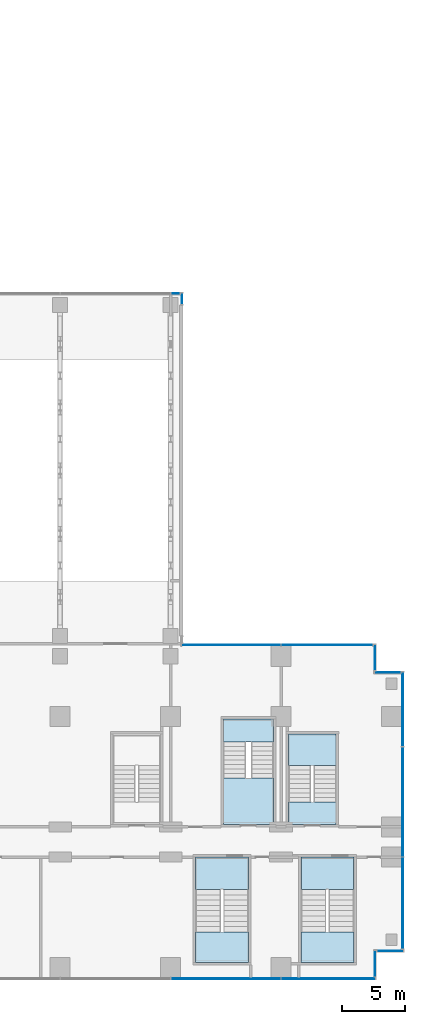
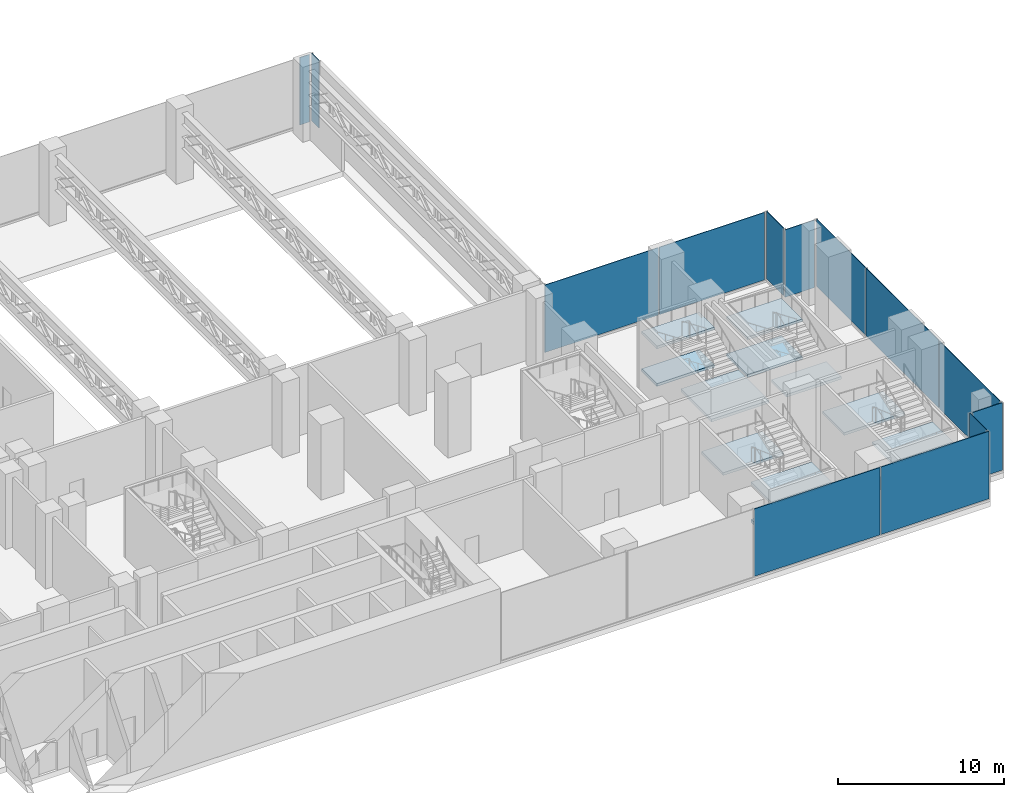
# One storey, part 16 of 30: 13 plates, 12 slabs, 13 elements without a shape of their own.
"""IFC4 building model written with IfcOpenShell, lengths in metres."""

from ifc_helpers import new_model, si_unit, direction, frame, origin, origin_2d, place, context, subcontext, project, spatial, polyline, rectangle, outline, extrude, source, transform, mapped, material, layer, layer_set, type_object, element, aggregate, save


model = new_model("IFC4")

# Units and contexts
model_context = context("Model", 3, precision=1e-05, world=origin(), true_north=direction((0.0, 1.0)))
body_context = subcontext(model_context, "Body", "Model", "MODEL_VIEW")
ifc_project = project(units=[si_unit("LENGTHUNIT", "METRE"), si_unit("AREAUNIT", "SQUARE_METRE"), si_unit("VOLUMEUNIT", "CUBIC_METRE"), si_unit("PLANEANGLEUNIT", "RADIAN"), si_unit("MASSUNIT", "GRAM", prefix="KILO")], contexts=[model_context])

# Site, building, storey
site_placement = place(None, origin())
site = spatial("IfcSite", under=ifc_project, at=site_placement, CompositionType="ELEMENT")
building_placement = place(site_placement, origin())
building = spatial("IfcBuilding", under=site, at=building_placement, Name="Kemantara Hotel Tower", CompositionType="ELEMENT")
storey_placement = place(building_placement, frame((0.0, 0.0, 23.5)))
storey = spatial("IfcBuildingStorey", under=building, at=storey_placement, Name="L04", CompositionType="ELEMENT", Elevation=23.5)

# Stair, slabs
ifc_material_1 = material(Name="Concrete fc 40 MPa", Category="concrete")
stair_type_1 = type_object("IfcStairType", Name="Stair 1800 wide 36 risers of 153 x 360 mm", PredefinedType="HALF_TURN_STAIR", material=ifc_material_1)
stair_1_placement = place(storey_placement, origin())
stair_1 = element("IfcStair", 1, at=stair_1_placement, inside=storey, type_object=stair_type_1, Name="L04 Exit stair ST5", PredefinedType="HALF_TURN_STAIR")
ifc_layer_1 = layer(ifc_material_1, 0.199951171875)
ifc_layer_set_1 = layer_set([ifc_layer_1], Name="Concrete fc 40 MPa")
slab_type = type_object("IfcSlabType", Name="Stair landing 200 mm", PredefinedType="LANDING", material=ifc_layer_set_1)
slab_1_placement = place(storey_placement, frame((0.0, 0.0, 1.175048828125)))
slab_1 = element("IfcSlab", 2, at=slab_1_placement, type_object=slab_type, Name="ST5 landing 1", PredefinedType="LANDING", context=body_context, shape_type="SweptSolid", body=[
    extrude(outline(polyline([(75.800048828125, 17.080078125), (75.800048828125, 19.60009765625), (72.0, 19.60009765625), (72.0, 17.080078125), (75.800048828125, 17.080078125)])), origin(), (0.0, 0.0, 1.0), 0.199951171875),
])
slab_2_placement = place(storey_placement, frame((0.0, 0.0, 2.550048828125)))
slab_2 = element("IfcSlab", 3, at=slab_2_placement, type_object=slab_type, Name="ST5 landing 2", PredefinedType="LANDING", context=body_context, shape_type="SweptSolid", body=[
    extrude(outline(polyline([(75.800048828125, 12.39990234375), (75.800048828125, 14.199951171875), (72.0, 14.199951171875), (72.0, 12.39990234375), (75.800048828125, 12.39990234375)])), origin(), (0.0, 0.0, 1.0), 0.199951171875),
])
slab_3_placement = place(storey_placement, frame((0.0, 0.0, 3.925048828125)))
slab_3 = element("IfcSlab", 4, at=slab_3_placement, type_object=slab_type, Name="ST5 landing 3", PredefinedType="LANDING", context=body_context, shape_type="SweptSolid", body=[
    extrude(outline(polyline([(75.800048828125, 17.080078125), (75.800048828125, 19.60009765625), (72.0, 19.60009765625), (72.0, 17.080078125), (75.800048828125, 17.080078125)])), origin(), (0.0, 0.0, 1.0), 0.199951171875),
])
aggregate(stair_1, [slab_1, slab_2, slab_3])

stair_2_placement = place(storey_placement, origin())
stair_2 = element("IfcStair", 5, at=stair_2_placement, inside=storey, type_object=stair_type_1, Name="L04 Stair PS1", PredefinedType="HALF_TURN_STAIR")
slab_4_placement = place(storey_placement, frame((0.0, 0.0, 1.175048828125)))
slab_4 = element("IfcSlab", 6, at=slab_4_placement, type_object=slab_type, Name="PS1 landing 1", PredefinedType="LANDING", context=body_context, shape_type="SweptSolid", body=[
    extrude(outline(polyline([(70.800048828125, 18.97998046875), (70.800048828125, 20.800048828125), (66.800048828125, 20.800048828125), (66.800048828125, 18.97998046875), (70.800048828125, 18.97998046875)])), origin(), (0.0, 0.0, 1.0), 0.199951171875),
])
slab_5_placement = place(storey_placement, frame((0.0, 0.0, 2.550048828125)))
slab_5 = element("IfcSlab", 7, at=slab_5_placement, type_object=slab_type, Name="PS1 landing 2", PredefinedType="LANDING", context=body_context, shape_type="SweptSolid", body=[
    extrude(outline(polyline([(70.800048828125, 12.39990234375), (70.800048828125, 16.10009765625), (66.800048828125, 16.10009765625), (66.800048828125, 12.39990234375), (70.800048828125, 12.39990234375)])), origin(), (0.0, 0.0, 1.0), 0.199951171875),
])
slab_6_placement = place(storey_placement, frame((0.0, 0.0, 3.925048828125)))
slab_6 = element("IfcSlab", 8, at=slab_6_placement, type_object=slab_type, Name="PS1 landing 3", PredefinedType="LANDING", context=body_context, shape_type="SweptSolid", body=[
    extrude(outline(polyline([(70.800048828125, 18.97998046875), (70.800048828125, 20.800048828125), (66.800048828125, 20.800048828125), (66.800048828125, 18.97998046875), (70.800048828125, 18.97998046875)])), origin(), (0.0, 0.0, 1.0), 0.199951171875),
])
aggregate(stair_2, [slab_4, slab_5, slab_6])

stair_type_2 = type_object("IfcStairType", Name="Stair 2000 wide 36 risers of 153 x 420 mm", PredefinedType="HALF_TURN_STAIR", material=ifc_material_1)
stair_3_placement = place(storey_placement, origin())
stair_3 = element("IfcStair", 9, at=stair_3_placement, inside=storey, type_object=stair_type_2, Name="L04 Stair PS4", PredefinedType="HALF_TURN_STAIR")
slab_7_placement = place(storey_placement, frame((0.0, 0.0, 1.175048828125)))
slab_7 = element("IfcSlab", 10, at=slab_7_placement, type_object=slab_type, Name="PS4 landing 1", PredefinedType="LANDING", context=body_context, shape_type="SweptSolid", body=[
    extrude(outline(polyline([(64.60009765625, 3.840087890625), (64.60009765625, 1.39990234375), (68.800048828125, 1.39990234375), (68.800048828125, 3.840087890625), (64.60009765625, 3.840087890625)])), origin(), (0.0, 0.0, 1.0), 0.199951171875),
])
slab_8_placement = place(storey_placement, frame((0.0, 0.0, 2.550048828125)))
slab_8 = element("IfcSlab", 11, at=slab_8_placement, type_object=slab_type, Name="PS4 landing 2", PredefinedType="LANDING", context=body_context, shape_type="SweptSolid", body=[
    extrude(outline(polyline([(64.60009765625, 9.800048828125), (64.60009765625, 7.199951171875), (68.800048828125, 7.199951171875), (68.800048828125, 9.800048828125), (64.60009765625, 9.800048828125)])), origin(), (0.0, 0.0, 1.0), 0.199951171875),
])
slab_9_placement = place(storey_placement, frame((0.0, 0.0, 3.925048828125)))
slab_9 = element("IfcSlab", 12, at=slab_9_placement, type_object=slab_type, Name="PS4 landing 3", PredefinedType="LANDING", context=body_context, shape_type="SweptSolid", body=[
    extrude(outline(polyline([(64.60009765625, 3.840087890625), (64.60009765625, 1.39990234375), (68.800048828125, 1.39990234375), (68.800048828125, 3.840087890625), (64.60009765625, 3.840087890625)])), origin(), (0.0, 0.0, 1.0), 0.199951171875),
])
aggregate(stair_3, [slab_7, slab_8, slab_9])

stair_4_placement = place(storey_placement, origin())
stair_4 = element("IfcStair", 13, at=stair_4_placement, inside=storey, type_object=stair_type_2, Name="L04 Stair PS5", PredefinedType="HALF_TURN_STAIR")
slab_10_placement = place(storey_placement, frame((0.0, 0.0, 1.175048828125)))
slab_10 = element("IfcSlab", 14, at=slab_10_placement, type_object=slab_type, Name="PS5 landing 1", PredefinedType="LANDING", context=body_context, shape_type="SweptSolid", body=[
    extrude(outline(polyline([(73.0, 3.840087890625), (73.0, 1.39990234375), (77.199951171875, 1.39990234375), (77.199951171875, 3.840087890625), (73.0, 3.840087890625)])), origin(), (0.0, 0.0, 1.0), 0.199951171875),
])
slab_11_placement = place(storey_placement, frame((0.0, 0.0, 2.550048828125)))
slab_11 = element("IfcSlab", 15, at=slab_11_placement, type_object=slab_type, Name="PS5 landing 2", PredefinedType="LANDING", context=body_context, shape_type="SweptSolid", body=[
    extrude(outline(polyline([(73.0, 9.800048828125), (73.0, 7.199951171875), (77.199951171875, 7.199951171875), (77.199951171875, 9.800048828125), (73.0, 9.800048828125)])), origin(), (0.0, 0.0, 1.0), 0.199951171875),
])
slab_12_placement = place(storey_placement, frame((0.0, 0.0, 3.925048828125)))
slab_12 = element("IfcSlab", 16, at=slab_12_placement, type_object=slab_type, Name="PS5 landing 3", PredefinedType="LANDING", context=body_context, shape_type="SweptSolid", body=[
    extrude(outline(polyline([(73.0, 3.840087890625), (73.0, 1.39990234375), (77.199951171875, 1.39990234375), (77.199951171875, 3.840087890625), (73.0, 3.840087890625)])), origin(), (0.0, 0.0, 1.0), 0.199951171875),
])
aggregate(stair_4, [slab_10, slab_11, slab_12])

# Curtain wall, plate
ifc_material_2 = material(Name="Laminated tinted insulated glass 44 mm", Category="glass")
curtain_wall_type = type_object("IfcCurtainWallType", Name="PODIUM GLASS CURTAIN WALL", PredefinedType="USERDEFINED", material=ifc_material_2)
curtain_wall_1_placement = place(storey_placement, origin())
curtain_wall_1 = element("IfcCurtainWall", 17, at=curtain_wall_1_placement, inside=storey, type_object=curtain_wall_type, Name="CW1 L04 POD-R01-2", ObjectType="PODIUM GLASS CURTAIN WALL", PredefinedType="USERDEFINED")
ifc_layer_2 = layer(ifc_material_2, 0.0439453125)
ifc_layer_set_2 = layer_set([ifc_layer_2], Name="Laminated tinted insulated glass 44 mm")
plate_type = type_object("IfcPlateType", Name="PODIUM GLASS CURTAIN WALL PANEL", PredefinedType="CURTAIN_PANEL", material=ifc_layer_set_2)
shared_shape_1 = source(origin(), body_context, "Body", "SweptSolid", [
    extrude(rectangle(XDim=8.72509765625, YDim=0.0439453125, at=origin_2d()), origin(), (0.0, 0.0, 1.0), 4.949951171875),
])
plate_1_placement = place(storey_placement, frame((67.0, 0.10009765625, 0.14990234375), z_axis=(0.0, 0.0, 1.0), x_axis=(1.0, 0.0, 0.0)))
plate_1 = element("IfcPlate", 18, at=plate_1_placement, type_object=plate_type, Name="CW1 glass panel POD-R01-2.3", PredefinedType="CURTAIN_PANEL", context=body_context, shape_type="MappedRepresentation", body=[
    mapped(shared_shape_1, transform((0.0, 0.0, 0.0))),
])

curtain_wall_2_placement = place(storey_placement, origin())
curtain_wall_2 = element("IfcCurtainWall", 19, at=curtain_wall_2_placement, inside=storey, type_object=curtain_wall_type, Name="CW1 L04 POD-R04-1", ObjectType="PODIUM GLASS CURTAIN WALL", PredefinedType="USERDEFINED")
plate_2_placement = place(storey_placement, frame((81.10009765625, 14.199951171875, 0.14990234375), z_axis=(0.0, 0.0, 1.0), x_axis=(0.0, 1.0, 0.0)))
plate_2 = element("IfcPlate", 20, at=plate_2_placement, type_object=plate_type, Name="CW1 glass panel POD-R04-1.2", PredefinedType="CURTAIN_PANEL", context=body_context, shape_type="MappedRepresentation", body=[
    mapped(shared_shape_1, transform((0.0, 0.0, 0.0))),
])

# Plate
shared_shape_2 = source(origin(), body_context, "Body", "SweptSolid", [
    extrude(rectangle(XDim=7.487548828125, YDim=0.0439453125, at=origin_2d()), origin(), (0.0, 0.0, 1.0), 4.949951171875),
])
plate_3_placement = place(storey_placement, frame((75.18115234375, 0.10009765625, 0.14990234375), z_axis=(0.0, 0.0, 1.0), x_axis=(1.0, 0.0, 0.0)))
plate_3 = element("IfcPlate", 21, at=plate_3_placement, type_object=plate_type, Name="CW1 glass panel POD-R01-2.4", PredefinedType="CURTAIN_PANEL", context=body_context, shape_type="MappedRepresentation", body=[
    mapped(shared_shape_2, transform((0.0, 0.0, 0.0))),
])

aggregate(curtain_wall_1, [plate_1, plate_3])

shared_shape_3 = source(origin(), body_context, "Body", "SweptSolid", [
    extrude(rectangle(XDim=7.28759765625, YDim=0.0439453125, at=origin_2d()), origin(), (0.0, 0.0, 1.0), 4.949951171875),
])
plate_4_placement = place(storey_placement, frame((81.10009765625, 6.11865234375, 0.14990234375), z_axis=(0.0, 0.0, 1.0), x_axis=(0.0, 1.0, 0.0)))
plate_4 = element("IfcPlate", 22, at=plate_4_placement, type_object=plate_type, Name="CW1 glass panel POD-R04-1.1", PredefinedType="CURTAIN_PANEL", context=body_context, shape_type="MappedRepresentation", body=[
    mapped(shared_shape_3, transform((0.0, 0.0, 0.0))),
])

# Curtain wall, plate
curtain_wall_3_placement = place(storey_placement, origin())
curtain_wall_3 = element("IfcCurtainWall", 23, at=curtain_wall_3_placement, inside=storey, type_object=curtain_wall_type, Name="CW1 L04 POD-R07-1", ObjectType="PODIUM GLASS CURTAIN WALL", PredefinedType="USERDEFINED")
plate_5_placement = place(storey_placement, frame((75.081298828125, 26.699951171875, 0.14990234375), z_axis=(0.0, 0.0, 1.0), x_axis=(-1.0, 0.0, 0.0)))
plate_5 = element("IfcPlate", 24, at=plate_5_placement, type_object=plate_type, Name="CW1 glass panel POD-R07-1.1", PredefinedType="CURTAIN_PANEL", context=body_context, shape_type="MappedRepresentation", body=[
    mapped(shared_shape_3, transform((0.0, 0.0, 0.0))),
])

# Plate
shared_shape_4 = source(origin(), body_context, "Body", "SweptSolid", [
    extrude(rectangle(XDim=5.887451171875, YDim=0.0439453125, at=origin_2d()), origin(), (0.0, 0.0, 1.0), 4.949951171875),
])
plate_6_placement = place(storey_placement, frame((81.10009765625, 21.581298828125, 0.14990234375), z_axis=(0.0, 0.0, 1.0), x_axis=(0.0, 1.0, 0.0)))
plate_6 = element("IfcPlate", 25, at=plate_6_placement, type_object=plate_type, Name="CW1 glass panel POD-R04-1.3", PredefinedType="CURTAIN_PANEL", context=body_context, shape_type="MappedRepresentation", body=[
    mapped(shared_shape_4, transform((0.0, 0.0, 0.0))),
])

aggregate(curtain_wall_2, [plate_4, plate_2, plate_6])

shared_shape_5 = source(origin(), body_context, "Body", "SweptSolid", [
    extrude(rectangle(XDim=7.887451171875, YDim=0.0439453125, at=origin_2d()), origin(), (0.0, 0.0, 1.0), 4.949951171875),
])
plate_7_placement = place(storey_placement, frame((67.418701171875, 26.699951171875, 0.14990234375), z_axis=(0.0, 0.0, 1.0), x_axis=(-1.0, 0.0, 0.0)))
plate_7 = element("IfcPlate", 26, at=plate_7_placement, type_object=plate_type, Name="CW1 glass panel POD-R07-1.2", PredefinedType="CURTAIN_PANEL", context=body_context, shape_type="MappedRepresentation", body=[
    mapped(shared_shape_5, transform((0.0, 0.0, 0.0))),
])

aggregate(curtain_wall_3, [plate_5, plate_7])

# Curtain wall, plate
curtain_wall_4_placement = place(storey_placement, origin())
curtain_wall_4 = element("IfcCurtainWall", 27, at=curtain_wall_4_placement, inside=storey, type_object=curtain_wall_type, Name="CW1 L04 POD-R08-2", ObjectType="PODIUM GLASS CURTAIN WALL", PredefinedType="USERDEFINED")
shared_shape_6 = source(origin(), body_context, "Body", "SweptSolid", [
    extrude(rectangle(XDim=0.887451171875, YDim=0.0439453125, at=origin_2d()), origin(), (0.0, 0.0, 1.0), 4.949951171875),
])
plate_8_placement = place(storey_placement, frame((63.5, 54.28125, 0.14990234375), z_axis=(0.0, 0.0, 1.0), x_axis=(0.0, 1.0, 0.0)))
plate_8 = element("IfcPlate", 28, at=plate_8_placement, type_object=plate_type, Name="CW1 glass panel POD-R08-2.1", PredefinedType="CURTAIN_PANEL", context=body_context, shape_type="MappedRepresentation", body=[
    mapped(shared_shape_6, transform((0.0, 0.0, 0.0))),
])
aggregate(curtain_wall_4, [plate_8])

curtain_wall_5_placement = place(storey_placement, origin())
curtain_wall_5 = element("IfcCurtainWall", 29, at=curtain_wall_5_placement, inside=storey, type_object=curtain_wall_type, Name="CW1 L04 POD-R09-1", ObjectType="PODIUM GLASS CURTAIN WALL", PredefinedType="USERDEFINED")
shared_shape_7 = source(origin(), body_context, "Body", "SweptSolid", [
    extrude(rectangle(XDim=0.6875, YDim=0.0439453125, at=origin_2d()), origin(), (0.0, 0.0, 1.0), 4.949951171875),
])
plate_9_placement = place(storey_placement, frame((62.981201171875, 54.699951171875, 0.14990234375), z_axis=(0.0, 0.0, 1.0), x_axis=(-1.0, 0.0, 0.0)))
plate_9 = element("IfcPlate", 30, at=plate_9_placement, type_object=plate_type, Name="CW1 glass panel POD-R09-1.1", PredefinedType="CURTAIN_PANEL", context=body_context, shape_type="MappedRepresentation", body=[
    mapped(shared_shape_7, transform((0.0, 0.0, 0.0))),
])
aggregate(curtain_wall_5, [plate_9])

curtain_wall_6_placement = place(storey_placement, origin())
curtain_wall_6 = element("IfcCurtainWall", 31, at=curtain_wall_6_placement, inside=storey, type_object=curtain_wall_type, Name="CW1 L04 POD-R02-1", ObjectType="PODIUM GLASS CURTAIN WALL", PredefinedType="USERDEFINED")
shared_shape_8 = source(origin(), body_context, "Body", "SweptSolid", [
    extrude(rectangle(XDim=2.050048828125, YDim=0.0439453125, at=origin_2d()), origin(), (0.0, 0.0, 1.0), 4.949951171875),
])
plate_10_placement = place(storey_placement, frame((78.89990234375, 1.300048828125, 0.14990234375), z_axis=(0.0, 0.0, 1.0), x_axis=(0.0, 1.0, 0.0)))
plate_10 = element("IfcPlate", 32, at=plate_10_placement, type_object=plate_type, Name="CW1 glass panel POD-R02-1.1", PredefinedType="CURTAIN_PANEL", context=body_context, shape_type="MappedRepresentation", body=[
    mapped(shared_shape_8, transform((0.0, 0.0, 0.0))),
])
aggregate(curtain_wall_6, [plate_10])

curtain_wall_7_placement = place(storey_placement, origin())
curtain_wall_7 = element("IfcCurtainWall", 33, at=curtain_wall_7_placement, inside=storey, type_object=curtain_wall_type, Name="CW1 L04 POD-R03-1", ObjectType="PODIUM GLASS CURTAIN WALL", PredefinedType="USERDEFINED")
plate_11_placement = place(storey_placement, frame((80.10009765625, 2.300048828125, 0.14990234375), z_axis=(0.0, 0.0, 1.0), x_axis=(1.0, 0.0, 0.0)))
plate_11 = element("IfcPlate", 34, at=plate_11_placement, type_object=plate_type, Name="CW1 glass panel POD-R03-1.1", PredefinedType="CURTAIN_PANEL", context=body_context, shape_type="MappedRepresentation", body=[
    mapped(shared_shape_8, transform((0.0, 0.0, 0.0))),
])
aggregate(curtain_wall_7, [plate_11])

curtain_wall_8_placement = place(storey_placement, origin())
curtain_wall_8 = element("IfcCurtainWall", 35, at=curtain_wall_8_placement, inside=storey, type_object=curtain_wall_type, Name="CW1 L04 POD-R05-1", ObjectType="PODIUM GLASS CURTAIN WALL", PredefinedType="USERDEFINED")
plate_12_placement = place(storey_placement, frame((79.89990234375, 24.5, 0.14990234375), z_axis=(0.0, 0.0, 1.0), x_axis=(-1.0, 0.0, 0.0)))
plate_12 = element("IfcPlate", 36, at=plate_12_placement, type_object=plate_type, Name="CW1 glass panel POD-R05-1.1", PredefinedType="CURTAIN_PANEL", context=body_context, shape_type="MappedRepresentation", body=[
    mapped(shared_shape_8, transform((0.0, 0.0, 0.0))),
])
aggregate(curtain_wall_8, [plate_12])

curtain_wall_9_placement = place(storey_placement, origin())
curtain_wall_9 = element("IfcCurtainWall", 37, at=curtain_wall_9_placement, inside=storey, type_object=curtain_wall_type, Name="CW1 L04 POD-R06-1", ObjectType="PODIUM GLASS CURTAIN WALL", PredefinedType="USERDEFINED")
plate_13_placement = place(storey_placement, frame((78.89990234375, 25.699951171875, 0.14990234375), z_axis=(0.0, 0.0, 1.0), x_axis=(0.0, 1.0, 0.0)))
plate_13 = element("IfcPlate", 38, at=plate_13_placement, type_object=plate_type, Name="CW1 glass panel POD-R06-1.1", PredefinedType="CURTAIN_PANEL", context=body_context, shape_type="MappedRepresentation", body=[
    mapped(shared_shape_8, transform((0.0, 0.0, 0.0))),
])
aggregate(curtain_wall_9, [plate_13])

save(model, "model.ifc")
